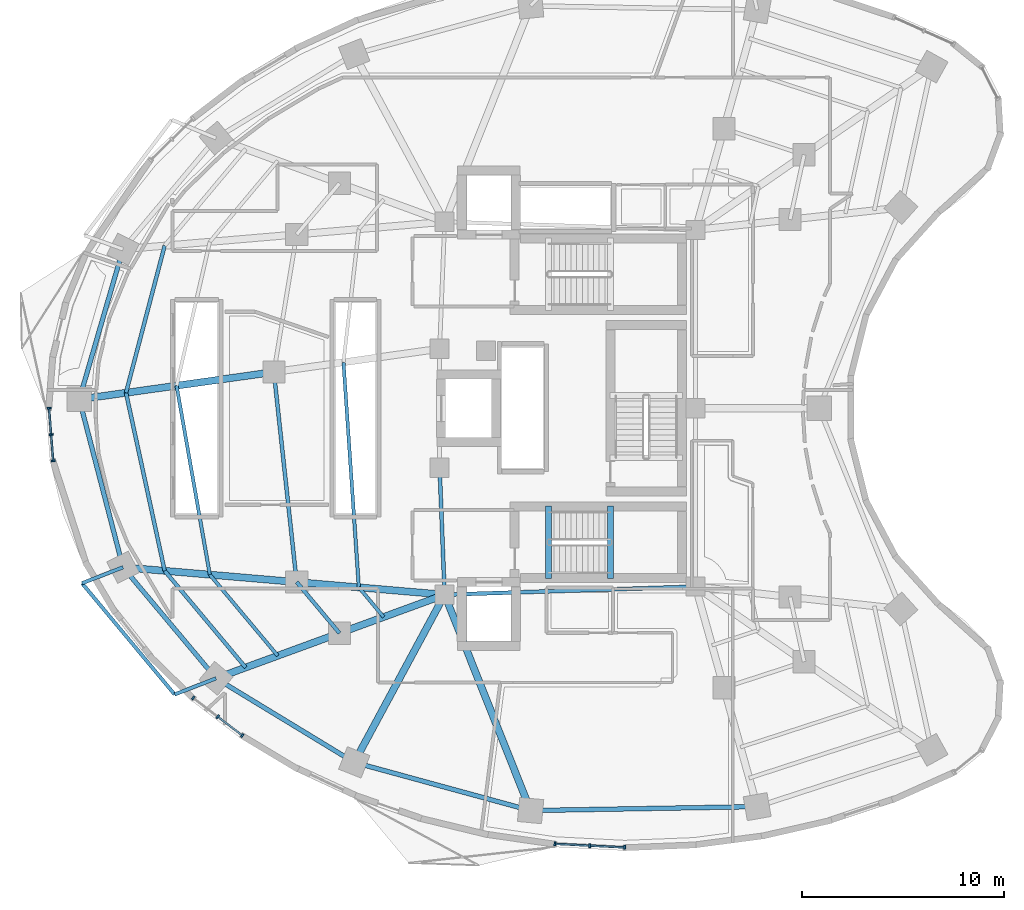
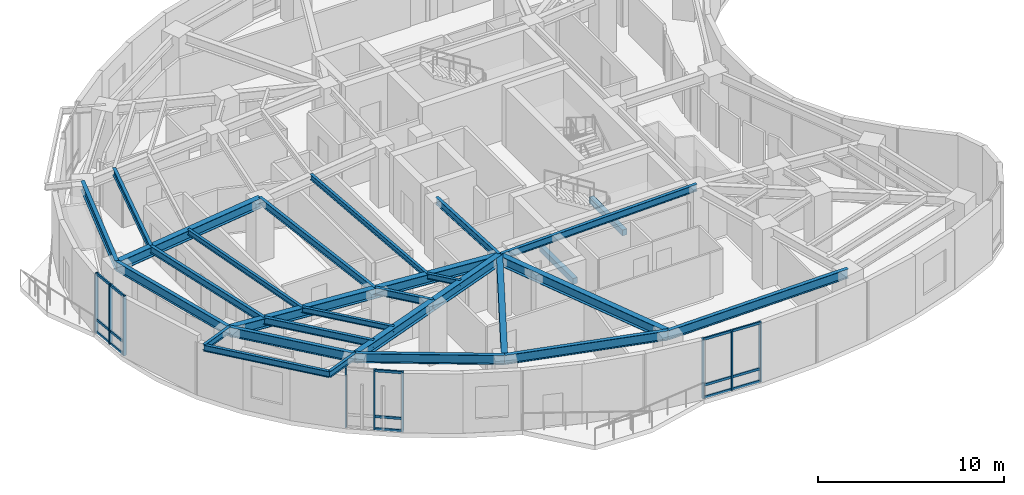
# One storey, part 2 of 15: 29 beams, 24 members, 3 elements without a shape of their own.
"""IFC4 building model written with IfcOpenShell, lengths in metres."""

import ifcopenshell
import ifcopenshell.guid

model = None  # the IFC model being written
_history = None  # IfcOwnerHistory: only IFC2X3 demands one
_inside = {}  # id of a spatial element -> (the spatial element, [elements in it])
_under = {}  # id of a project, library or spatial element -> (it, [spatial elements below it])
_declared = {}  # id of a project -> (the project, [libraries it declares])
_typed = {}  # id of a type object -> (the type object, [elements of that type])
_made_of = {}  # id of a material, layer set ... -> (it, [elements and type objects made of it])


def new_model(schema):
    """Start an empty IFC model of exactly this schema.

    Asked for "IFC4X3", IfcOpenShell would pick the latest addendum, in which some entities
    have other attributes; the version numbers below select the first issue.
    IFC2X3 requires an IfcOwnerHistory on every rooted entity: one is made here for all.
    """
    global model, _history
    if schema == "IFC4X3":
        model = ifcopenshell.file(schema_version=(4, 3, 0, 0))
    else:
        model = ifcopenshell.file(schema=schema)
    _inside.clear()
    _under.clear()
    _declared.clear()
    _typed.clear()
    _made_of.clear()
    _history = None
    if model.schema == "IFC2X3":
        org = make("IfcOrganization", Name="unknown")
        user = make(
            "IfcPersonAndOrganization",
            ThePerson=make("IfcPerson", FamilyName="unknown"),
            TheOrganization=org,
        )
        app = make(
            "IfcApplication",
            ApplicationDeveloper=org,
            Version="unknown",
            ApplicationFullName="unknown",
            ApplicationIdentifier="unknown",
        )
        _history = make(
            "IfcOwnerHistory",
            OwningUser=user,
            OwningApplication=app,
            ChangeAction="ADDED",
            CreationDate=0,
        )
    return model


def make(cls, **values):
    """One entity of the class cls with the attributes given. An attribute that is None is left unset."""
    return model.create_entity(
        cls, **{name: value for name, value in values.items() if value is not None}
    )


def rooted(cls, **values):
    """An entity with a GlobalId (a new one), such as an element, a storey or a relation."""
    return make(cls, GlobalId=ifcopenshell.guid.new(), OwnerHistory=_history, **values)


def si_unit(unit_type, name, prefix=None):
    """IfcSIUnit, for example si_unit("LENGTHUNIT", "METRE", prefix="MILLI")."""
    return make("IfcSIUnit", UnitType=unit_type, Prefix=prefix, Name=name)


def assignment(units):
    """IfcUnitAssignment: the units of a project."""
    return None if units is None else make("IfcUnitAssignment", Units=units)


def point(xyz):
    """IfcCartesianPoint."""
    return None if xyz is None else make("IfcCartesianPoint", Coordinates=xyz)


def direction(xyz):
    """IfcDirection."""
    return None if xyz is None else make("IfcDirection", DirectionRatios=xyz)


def frame(location, z_axis=None, x_axis=None):
    """IfcAxis2Placement3D, a coordinate frame: its origin and axes. An axis left out is left unset."""
    return make(
        "IfcAxis2Placement3D",
        Location=point(location),
        Axis=direction(z_axis),
        RefDirection=direction(x_axis),
    )


def frame_2d(location, x_axis=None):
    """IfcAxis2Placement2D, a coordinate frame in the plane: its origin and x axis."""
    return make(
        "IfcAxis2Placement2D", Location=point(location), RefDirection=direction(x_axis)
    )


def origin():
    """The frame at (0, 0, 0) with its axes left unset."""
    return frame((0.0, 0.0, 0.0))


def origin_2d():
    """The frame at (0, 0) in the plane with its x axis left unset."""
    return frame_2d((0.0, 0.0))


def place(relative_to, where):
    """IfcLocalPlacement: puts the frame where relative to a parent placement (None: the world)."""
    return make(
        "IfcLocalPlacement", PlacementRelTo=relative_to, RelativePlacement=where
    )


def context(
    kind, dimensions, precision=None, world=None, true_north=None, identifier=None
):
    """IfcGeometricRepresentationContext, for example the 3D "Model" context."""
    return make(
        "IfcGeometricRepresentationContext",
        ContextIdentifier=identifier,
        ContextType=kind,
        CoordinateSpaceDimension=dimensions,
        Precision=precision,
        WorldCoordinateSystem=world,
        TrueNorth=true_north,
    )


def subcontext(parent, identifier, kind, view, scale=None):
    """IfcGeometricRepresentationSubContext, for example "Body" below "Model"."""
    return make(
        "IfcGeometricRepresentationSubContext",
        ContextIdentifier=identifier,
        ContextType=kind,
        ParentContext=parent,
        TargetScale=scale,
        TargetView=view,
    )


def project(units=None, contexts=None):
    """IfcProject with its units and contexts."""
    return rooted(
        "IfcProject",
        Name="project",
        RepresentationContexts=contexts,
        UnitsInContext=assignment(units),
    )


def spatial(cls, under=None, at=None, **own):
    """A site, building, storey or space (cls), placed at a placement, below another one or the project."""
    s = rooted(cls, ObjectPlacement=at, **own)
    if under is not None:
        _under.setdefault(under.id(), (under, []))[1].append(s)
    return s


def profile(cls, at=None, kind="AREA", **sizes):
    """A parametric profile (cls). Its sizes go by their IFC names, for example OverallWidth=200.0."""
    return make(cls, ProfileType=kind, Position=at, **sizes)


def rectangle(**sizes):
    """IfcRectangleProfileDef."""
    return profile("IfcRectangleProfileDef", **sizes)


def i_section(**sizes):
    """IfcIShapeProfileDef."""
    return profile("IfcIShapeProfileDef", **sizes)


def extrude(swept, where, along, depth):
    """IfcExtrudedAreaSolid: the profile swept, set in the frame where, extruded along a direction by depth."""
    return make(
        "IfcExtrudedAreaSolid",
        SweptArea=swept,
        Position=where,
        ExtrudedDirection=direction(along),
        Depth=depth,
    )


def shape(context_of_items, identifier, shape_type, items):
    """IfcShapeRepresentation: the items that make up one representation, for example the "Body"."""
    return make(
        "IfcShapeRepresentation",
        ContextOfItems=context_of_items,
        RepresentationIdentifier=identifier,
        RepresentationType=shape_type,
        Items=items,
    )


def material(Name=None, Category=None):
    """IfcMaterial."""
    return make("IfcMaterial", Name=Name, Category=Category)


def layer(
    of_material, thickness, ventilated=None, Name=None, Category=None, Priority=None
):
    """IfcMaterialLayer: one layer of a wall or slab, of a material (None: an air gap)."""
    return make(
        "IfcMaterialLayer",
        Material=of_material,
        LayerThickness=thickness,
        IsVentilated=ventilated,
        Name=Name,
        Category=Category,
        Priority=Priority,
    )


def layer_set(layers, Name=None):
    """IfcMaterialLayerSet."""
    return make("IfcMaterialLayerSet", MaterialLayers=layers, LayerSetName=Name)


def material_profile(
    of_material, cross_section, Name=None, Category=None, Priority=None
):
    """IfcMaterialProfile: a cross section and its material."""
    return make(
        "IfcMaterialProfile",
        Name=Name,
        Material=of_material,
        Profile=cross_section,
        Priority=Priority,
        Category=Category,
    )


def profile_set(profiles, Name=None, composite=None):
    """IfcMaterialProfileSet."""
    return make(
        "IfcMaterialProfileSet",
        Name=Name,
        MaterialProfiles=profiles,
        CompositeProfile=composite,
    )


def made_of(thing, what):
    """Note that an element or type object is made of a material, layer set ...; save() writes the relation."""
    if what is not None:
        _made_of.setdefault(what.id(), (what, []))[1].append(thing)
    return thing


def type_object(cls, material=None, **own):
    """A type object (cls), such as IfcWallType, which elements share."""
    return made_of(rooted(cls, **own), material)


def element(
    cls,
    number,
    at=None,
    inside=None,
    cuts=None,
    type_object=None,
    material=None,
    context=None,
    identifier="Body",
    shape_type=None,
    held_by="IfcProductDefinitionShape",
    body=None,
    shapes=None,
    **own,
):
    """One element of the class cls, such as IfcWall. Its Tag is "e" and its number.

    at: its placement. inside: the storey or other place that contains it. cuts: it is an
    opening in that element (IfcRelVoidsElement). A single representation is given by context,
    identifier, shape_type and body (its items); several are given by shapes. held_by: the class
    of the entity that holds the representations. save() writes the other relations.
    """
    e = rooted(cls, Tag="e%d" % number, ObjectPlacement=at, **own)
    if body is not None:
        shapes = [shape(context, identifier, shape_type, body)]
    if shapes is not None:
        e.Representation = make(held_by, Representations=shapes)
    if inside is not None:
        _inside.setdefault(inside.id(), (inside, []))[1].append(e)
    if cuts is not None:
        rooted(
            "IfcRelVoidsElement", RelatingBuildingElement=cuts, RelatedOpeningElement=e
        )
    if type_object is not None:
        _typed.setdefault(type_object.id(), (type_object, []))[1].append(e)
    return made_of(e, material)


def aggregate(whole, parts):
    """IfcRelAggregates: a whole, such as a stair, and the parts it consists of."""
    return rooted("IfcRelAggregates", RelatingObject=whole, RelatedObjects=parts)


def save(model, path):
    """Write the relations noted so far, then the file.

    IfcRelAggregates (storeys below a building ...), IfcRelContainedInSpatialStructure (elements
    in a storey), IfcRelDefinesByType, IfcRelAssociatesMaterial and IfcRelDeclares: one each for
    every whole, place, type object, material and project.
    """
    for whole, parts in _under.values():
        aggregate(whole, parts)
    for where, things in _inside.values():
        rooted(
            "IfcRelContainedInSpatialStructure",
            RelatedElements=things,
            RelatingStructure=where,
        )
    for kind, things in _typed.values():
        rooted("IfcRelDefinesByType", RelatedObjects=things, RelatingType=kind)
    for what, things in _made_of.values():
        rooted("IfcRelAssociatesMaterial", RelatedObjects=things, RelatingMaterial=what)
    for by, libraries in _declared.values():
        rooted("IfcRelDeclares", RelatingContext=by, RelatedDefinitions=libraries)
    model.write(path)


model = new_model("IFC4")

# Units and contexts
model_context = context("Model", 3, precision=1e-05, world=origin(), true_north=direction((0.0, 1.0)))
body_context = subcontext(model_context, "Body", "Model", "MODEL_VIEW")
ifc_project = project(units=[si_unit("LENGTHUNIT", "METRE"), si_unit("AREAUNIT", "SQUARE_METRE"), si_unit("VOLUMEUNIT", "CUBIC_METRE"), si_unit("PLANEANGLEUNIT", "RADIAN"), si_unit("MASSUNIT", "GRAM", prefix="KILO")], contexts=[model_context])

# Site, building, storey
site_placement = place(None, origin())
site = spatial("IfcSite", under=ifc_project, at=site_placement, CompositionType="ELEMENT")
building_placement = place(site_placement, origin())
building = spatial("IfcBuilding", under=site, at=building_placement, Name="Korentha Bioscience Tower", CompositionType="ELEMENT")
storey_placement = place(building_placement, frame((0.0, 0.0, 127.800048828125)))
storey = spatial("IfcBuildingStorey", under=building, at=storey_placement, Name="L29", CompositionType="ELEMENT", Elevation=127.800048828125)

# Beams
ifc_material_1 = material(Name="Concrete C50", Category="concrete")
ifc_material_profile_1 = material_profile(ifc_material_1, rectangle(XDim=0.280029296875, YDim=0.3798828125, at=origin_2d()), Name="Concrete C50")
ifc_profile_set_1 = profile_set([ifc_material_profile_1], Name="Concrete C50 (ST-HB380)")
beam_type_1 = type_object("IfcBeamType", Name="Concrete Stair Header Beam RC 280x380", PredefinedType="BEAM", material=ifc_profile_set_1)
for number, where, z_axis, x_axis, name in (
    (1, (30.25, 18.550048828125, -0.18994140625), (0.0, 1.0, 0.0), (-1.0, 0.0, 0.0), "L29 ST-2 Concrete Stair Header Beam"),
    (2, (33.330078125, 18.550048828125, 1.909912109375), (0.0, 1.0, 0.0), (-1.0, 0.0, 0.0), "L29 ST-2 Half-Landing Header Beam 1"),
):
    element("IfcBeam", number, at=place(storey_placement, frame(where, z_axis=z_axis, x_axis=x_axis)), inside=storey, type_object=beam_type_1, Name=name, PredefinedType="BEAM", context=body_context, shape_type="SweptSolid", body=[
        extrude(rectangle(XDim=0.280029296875, YDim=0.3798828125, at=origin_2d()), origin(), (0.0, 0.0, 1.0), 3.599853515625),
    ])
ifc_material_2 = material(Name="Steel S355", Category="steel")
ifc_material_profile_2 = material_profile(ifc_material_2, i_section(OverallWidth=0.18994140625, OverallDepth=0.45703125, WebThickness=0.009033203125, FlangeThickness=0.014404296875, at=origin_2d()), Name="Steel S355")
ifc_profile_set_2 = profile_set([ifc_material_profile_2], Name="Steel S355 (MB-460)")
beam_type_2 = type_object("IfcBeamType", Name="Mid-Ring Tie Girder W460x74", PredefinedType="BEAM", material=ifc_profile_set_2)
beam_1_placement = place(storey_placement, frame((16.627197265625, 28.796630859375, 3.67138671875), z_axis=(0.108002632645, -0.994150607977, 0.0), x_axis=(0.994150607977, 0.108002632645, 0.0)))
element("IfcBeam", 3, at=beam_1_placement, inside=storey, type_object=beam_type_2, Name="L29 Mid-Ring Tie Girder 07", PredefinedType="BEAM", context=body_context, shape_type="SweptSolid", body=[
    extrude(i_section(OverallWidth=0.18994140625, OverallDepth=0.45703125, WebThickness=0.009033203125, FlangeThickness=0.014404296875, at=origin_2d()), origin(), (0.0, 0.0, 1.0), 10.48193359375),
])
beam_2_placement = place(storey_placement, frame((17.75927734375, 18.3759765625, 3.67138671875), z_axis=(0.642121371708, -0.766602989817, 0.0), x_axis=(0.766602989817, 0.642121371708, 0.0)))
element("IfcBeam", 4, at=beam_2_placement, inside=storey, type_object=beam_type_2, Name="L29 Mid-Ring Tie Girder 08", PredefinedType="BEAM", context=body_context, shape_type="SweptSolid", body=[
    extrude(i_section(OverallWidth=0.18994140625, OverallDepth=0.45703125, WebThickness=0.009033203125, FlangeThickness=0.014404296875, at=origin_2d()), origin(), (0.0, 0.0, 1.0), 3.306640625),
])
beam_3_placement = place(storey_placement, frame((24.85009765625, 24.050048828125, 3.67138671875), z_axis=(0.039651025576, -0.999213588864, 0.0), x_axis=(0.999213588864, 0.039651025576, 0.0)))
element("IfcBeam", 5, at=beam_3_placement, inside=storey, type_object=beam_type_2, Name="L29 Core Ring Tie Girder 04", PredefinedType="BEAM", context=body_context, shape_type="SweptSolid", body=[
    extrude(i_section(OverallWidth=0.18994140625, OverallDepth=0.45703125, WebThickness=0.009033203125, FlangeThickness=0.014404296875, at=origin_2d()), origin(), (0.0, 0.0, 1.0), 6.304931640625),
])
beam_4_placement = place(storey_placement, frame((25.10009765625, 17.75, 3.67138671875), z_axis=(0.999484526071, 0.032104238723, 0.0), x_axis=(-0.032104238723, 0.999484526071, 0.0)))
element("IfcBeam", 6, at=beam_4_placement, inside=storey, type_object=beam_type_2, Name="L29 Core Ring Tie Girder 05", PredefinedType="BEAM", context=body_context, shape_type="SweptSolid", body=[
    extrude(i_section(OverallWidth=0.18994140625, OverallDepth=0.45703125, WebThickness=0.009033203125, FlangeThickness=0.014404296875, at=origin_2d()), origin(), (0.0, 0.0, 1.0), 12.456298828125),
])

# Curtain wall, members
ifc_material_3 = material(Name="Thermally Broken Aluminium Frame", Category="aluminium")
ifc_layer = layer(ifc_material_3, 0.219970703125, Name="Thermally Broken Aluminium Frame")
ifc_layer_set = layer_set([ifc_layer], Name="Thermally Broken Aluminium Frame (CW-T1)")
curtain_wall_type = type_object("IfcCurtainWallType", Name="Standard Bioscience Lab Unitised Curtain Wall CW-T1", PredefinedType="USERDEFINED", material=ifc_layer_set)
curtain_wall_1_placement = place(storey_placement, origin())
curtain_wall_1 = element("IfcCurtainWall", 7, at=curtain_wall_1_placement, inside=storey, type_object=curtain_wall_type, Name="L29 Curtain Wall 19", ObjectType="UNITISED", PredefinedType="USERDEFINED")
ifc_material_4 = material(Name="Anodised Aluminium 6063-T6", Category="aluminium")
ifc_material_profile_3 = material_profile(ifc_material_4, rectangle(XDim=0.090087890625, YDim=0.199951171875, at=origin_2d()), Name="Anodised Aluminium 6063-T6")
ifc_profile_set_3 = profile_set([ifc_material_profile_3], Name="Anodised Aluminium 6063-T6 (CW-MUL)")
member_type_1 = type_object("IfcMemberType", Name="Mullion RECT 90x200", PredefinedType="MULLION", material=ifc_profile_set_3)
member_1_placement = place(storey_placement, frame((5.473876953125, 27.0078125, 0.0), z_axis=(0.0, 0.0, 1.0), x_axis=(0.079130214674, -0.996864288219, 0.0)))
member_1 = element("IfcMember", 8, at=member_1_placement, type_object=member_type_1, Name="CW-L29-19 Mullion 1", PredefinedType="MULLION", context=body_context, shape_type="SweptSolid", body=[
    extrude(rectangle(XDim=0.090087890625, YDim=0.199951171875, at=origin_2d()), origin(), (0.0, 0.0, 1.0), 3.89990234375),
])
member_2_placement = place(storey_placement, frame((5.577880859375, 25.6962890625, 0.0), z_axis=(0.0, 0.0, 1.0), x_axis=(0.079130214674, -0.996864288219, 0.0)))
member_2 = element("IfcMember", 9, at=member_2_placement, type_object=member_type_1, Name="CW-L29-19 Mullion 2", PredefinedType="MULLION", context=body_context, shape_type="SweptSolid", body=[
    extrude(rectangle(XDim=0.090087890625, YDim=0.199951171875, at=origin_2d()), origin(), (0.0, 0.0, 1.0), 3.89990234375),
])
member_3_placement = place(storey_placement, frame((5.681884765625, 24.38525390625, 0.0), z_axis=(0.0, 0.0, 1.0), x_axis=(0.079130214674, -0.996864288219, 0.0)))
member_3 = element("IfcMember", 10, at=member_3_placement, type_object=member_type_1, Name="CW-L29-19 Mullion 3", PredefinedType="MULLION", context=body_context, shape_type="SweptSolid", body=[
    extrude(rectangle(XDim=0.090087890625, YDim=0.199951171875, at=origin_2d()), origin(), (0.0, 0.0, 1.0), 3.89990234375),
])

curtain_wall_2_placement = place(storey_placement, origin())
curtain_wall_2 = element("IfcCurtainWall", 11, at=curtain_wall_2_placement, inside=storey, type_object=curtain_wall_type, Name="L29 Curtain Wall 25", ObjectType="UNITISED", PredefinedType="USERDEFINED")
member_4_placement = place(storey_placement, frame((12.624267578125, 12.62890625, 0.0), z_axis=(0.0, 0.0, 1.0), x_axis=(0.794499603893, -0.607264669986, 0.0)))
member_4 = element("IfcMember", 12, at=member_4_placement, type_object=member_type_1, Name="CW-L29-25 Mullion 1", PredefinedType="MULLION", context=body_context, shape_type="SweptSolid", body=[
    extrude(rectangle(XDim=0.090087890625, YDim=0.199951171875, at=origin_2d()), origin(), (0.0, 0.0, 1.0), 3.89990234375),
])
member_5_placement = place(storey_placement, frame((13.844970703125, 11.69580078125, 0.0), z_axis=(0.0, 0.0, 1.0), x_axis=(0.794499603893, -0.607264669986, 0.0)))
member_5 = element("IfcMember", 13, at=member_5_placement, type_object=member_type_1, Name="CW-L29-25 Mullion 2", PredefinedType="MULLION", context=body_context, shape_type="SweptSolid", body=[
    extrude(rectangle(XDim=0.090087890625, YDim=0.199951171875, at=origin_2d()), origin(), (0.0, 0.0, 1.0), 3.89990234375),
])
member_6_placement = place(storey_placement, frame((15.0654296875, 10.7626953125, 0.0), z_axis=(0.0, 0.0, 1.0), x_axis=(0.794499603893, -0.607264669986, 0.0)))
member_6 = element("IfcMember", 14, at=member_6_placement, type_object=member_type_1, Name="CW-L29-25 Mullion 3", PredefinedType="MULLION", context=body_context, shape_type="SweptSolid", body=[
    extrude(rectangle(XDim=0.090087890625, YDim=0.199951171875, at=origin_2d()), origin(), (0.0, 0.0, 1.0), 3.89990234375),
])

curtain_wall_3_placement = place(storey_placement, origin())
curtain_wall_3 = element("IfcCurtainWall", 15, at=curtain_wall_3_placement, inside=storey, type_object=curtain_wall_type, Name="L29 Curtain Wall 31", ObjectType="UNITISED", PredefinedType="USERDEFINED")
member_7_placement = place(storey_placement, frame((30.571533203125, 5.39111328125, 0.0), z_axis=(0.0, 0.0, 1.0), x_axis=(0.998673231344, -0.051495407527, 0.0)))
member_7 = element("IfcMember", 16, at=member_7_placement, type_object=member_type_1, Name="CW-L29-31 Mullion 1", PredefinedType="MULLION", context=body_context, shape_type="SweptSolid", body=[
    extrude(rectangle(XDim=0.090087890625, YDim=0.199951171875, at=origin_2d()), origin(), (0.0, 0.0, 1.0), 3.89990234375),
])
member_8_placement = place(storey_placement, frame((32.301025390625, 5.302001953125, 0.0), z_axis=(0.0, 0.0, 1.0), x_axis=(0.998673231344, -0.051495407527, 0.0)))
member_8 = element("IfcMember", 17, at=member_8_placement, type_object=member_type_1, Name="CW-L29-31 Mullion 2", PredefinedType="MULLION", context=body_context, shape_type="SweptSolid", body=[
    extrude(rectangle(XDim=0.090087890625, YDim=0.199951171875, at=origin_2d()), origin(), (0.0, 0.0, 1.0), 3.89990234375),
])
member_9_placement = place(storey_placement, frame((34.03076171875, 5.212646484375, 0.0), z_axis=(0.0, 0.0, 1.0), x_axis=(0.998673231344, -0.051495407527, 0.0)))
member_9 = element("IfcMember", 18, at=member_9_placement, type_object=member_type_1, Name="CW-L29-31 Mullion 3", PredefinedType="MULLION", context=body_context, shape_type="SweptSolid", body=[
    extrude(rectangle(XDim=0.090087890625, YDim=0.199951171875, at=origin_2d()), origin(), (0.0, 0.0, 1.0), 3.89990234375),
])

# Beams
ifc_material_profile_4 = material_profile(ifc_material_2, i_section(OverallWidth=0.22802734375, OverallDepth=0.60791015625, WebThickness=0.01123046875, FlangeThickness=0.017333984375, at=origin_2d()), Name="Steel S355")
ifc_profile_set_4 = profile_set([ifc_material_profile_4], Name="Steel S355 (SB-610)")
beam_type_3 = type_object("IfcBeamType", Name="Perimeter Ring Spandrel Girder W610x113", PredefinedType="SPANDREL", material=ifc_profile_set_4)
beam_5_placement = place(storey_placement, frame((9.141845703125, 34.889404296875, 3.595947265625), z_axis=(-0.279486251653, -0.960149694129, 0.0), x_axis=(0.960149694129, -0.279486251653, 0.0)))
element("IfcBeam", 19, at=beam_5_placement, inside=storey, type_object=beam_type_3, Name="L29 Perimeter Spandrel Girder 06", PredefinedType="SPANDREL", context=body_context, shape_type="SweptSolid", body=[
    extrude(i_section(OverallWidth=0.22802734375, OverallDepth=0.60791015625, WebThickness=0.01123046875, FlangeThickness=0.017333984375, at=origin_2d()), origin(), (0.0, 0.0, 1.0), 7.756103515625),
])
beam_6_placement = place(storey_placement, frame((6.97412109375, 27.4423828125, 3.595947265625), z_axis=(0.251792692694, -0.96778119423, 0.0), x_axis=(0.96778119423, 0.251792692694, 0.0)))
element("IfcBeam", 20, at=beam_6_placement, inside=storey, type_object=beam_type_3, Name="L29 Perimeter Spandrel Girder 07", PredefinedType="SPANDREL", context=body_context, shape_type="SweptSolid", body=[
    extrude(i_section(OverallWidth=0.22802734375, OverallDepth=0.60791015625, WebThickness=0.01123046875, FlangeThickness=0.017333984375, at=origin_2d()), origin(), (0.0, 0.0, 1.0), 8.609130859375),
])
beam_7_placement = place(storey_placement, frame((9.141845703125, 19.110595703125, 3.595947265625), z_axis=(0.642126556076, -0.76659864726, 0.0), x_axis=(0.76659864726, 0.642126556076, 0.0)))
element("IfcBeam", 21, at=beam_7_placement, inside=storey, type_object=beam_type_3, Name="L29 Perimeter Spandrel Girder 08", PredefinedType="SPANDREL", context=body_context, shape_type="SweptSolid", body=[
    extrude(i_section(OverallWidth=0.22802734375, OverallDepth=0.60791015625, WebThickness=0.01123046875, FlangeThickness=0.017333984375, at=origin_2d()), origin(), (0.0, 0.0, 1.0), 7.1884765625),
])
beam_8_placement = place(storey_placement, frame((13.7578125, 13.599853515625, 3.595947265625), z_axis=(0.854461040474, -0.51951547649, 0.0), x_axis=(0.51951547649, 0.854461040474, 0.0)))
element("IfcBeam", 22, at=beam_8_placement, inside=storey, type_object=beam_type_3, Name="L29 Perimeter Spandrel Girder 09", PredefinedType="SPANDREL", context=body_context, shape_type="SweptSolid", body=[
    extrude(i_section(OverallWidth=0.22802734375, OverallDepth=0.60791015625, WebThickness=0.01123046875, FlangeThickness=0.017333984375, at=origin_2d()), origin(), (0.0, 0.0, 1.0), 8.025146484375),
])
beam_9_placement = place(storey_placement, frame((20.614990234375, 9.4306640625, 3.595947265625), z_axis=(0.964659386444, -0.263500034431, 0.0), x_axis=(0.263500034431, 0.964659386444, 0.0)))
element("IfcBeam", 23, at=beam_9_placement, inside=storey, type_object=beam_type_3, Name="L29 Perimeter Spandrel Girder 10", PredefinedType="SPANDREL", context=body_context, shape_type="SweptSolid", body=[
    extrude(i_section(OverallWidth=0.22802734375, OverallDepth=0.60791015625, WebThickness=0.01123046875, FlangeThickness=0.017333984375, at=origin_2d()), origin(), (0.0, 0.0, 1.0), 9.06982421875),
])
beam_10_placement = place(storey_placement, frame((29.3642578125, 7.040771484375, 3.595947265625), z_axis=(0.999850566826, 0.017287105523, 0.0), x_axis=(-0.017287105523, 0.999850566826, 0.0)))
element("IfcBeam", 24, at=beam_10_placement, inside=storey, type_object=beam_type_3, Name="L29 Perimeter Spandrel Girder 11", PredefinedType="SPANDREL", context=body_context, shape_type="SweptSolid", body=[
    extrude(i_section(OverallWidth=0.22802734375, OverallDepth=0.60791015625, WebThickness=0.01123046875, FlangeThickness=0.017333984375, at=origin_2d()), origin(), (0.0, 0.0, 1.0), 11.24169921875),
])
ifc_material_profile_5 = material_profile(ifc_material_2, i_section(OverallWidth=0.18994140625, OverallDepth=0.45703125, WebThickness=0.009033203125, FlangeThickness=0.014404296875, at=origin_2d()), Name="Steel S355")
ifc_profile_set_5 = profile_set([ifc_material_profile_5], Name="Steel S355 (RB-460)")
beam_type_4 = type_object("IfcBeamType", Name="Radial Laboratory Beam W460x74", PredefinedType="BEAM", material=ifc_profile_set_5)
beam_11_placement = place(storey_placement, frame((11.2099609375, 35.065673828125, 3.67138671875), z_axis=(-0.254294231014, -0.967126901742, 0.0), x_axis=(0.967126901742, -0.254294231014, 0.0)))
element("IfcBeam", 25, at=beam_11_placement, inside=storey, type_object=beam_type_4, Name="L29 Secondary Floor Beam JSTO-06", PredefinedType="BEAM", context=body_context, shape_type="SweptSolid", body=[
    extrude(i_section(OverallWidth=0.18994140625, OverallDepth=0.45703125, WebThickness=0.009033203125, FlangeThickness=0.014404296875, at=origin_2d()), origin(), (0.0, 0.0, 1.0), 7.546142578125),
])
beam_12_placement = place(storey_placement, frame((9.291015625, 27.767578125, 3.67138671875), z_axis=(0.212289478944, -0.977206824132, 0.0), x_axis=(0.977206824132, 0.212289478944, 0.0)))
element("IfcBeam", 26, at=beam_12_placement, inside=storey, type_object=beam_type_4, Name="L29 Secondary Floor Beam JSTO-07", PredefinedType="BEAM", context=body_context, shape_type="SweptSolid", body=[
    extrude(i_section(OverallWidth=0.18994140625, OverallDepth=0.45703125, WebThickness=0.009033203125, FlangeThickness=0.014404296875, at=origin_2d()), origin(), (0.0, 0.0, 1.0), 9.039306640625),
])
beam_13_placement = place(storey_placement, frame((11.2099609375, 18.934326171875, 3.67138671875), z_axis=(0.642128156066, -0.766597307057, 0.0), x_axis=(0.766597307057, 0.642128156066, 0.0)))
element("IfcBeam", 27, at=beam_13_placement, inside=storey, type_object=beam_type_4, Name="L29 Secondary Floor Beam JSTO-08", PredefinedType="BEAM", context=body_context, shape_type="SweptSolid", body=[
    extrude(i_section(OverallWidth=0.18994140625, OverallDepth=0.45703125, WebThickness=0.009033203125, FlangeThickness=0.014404296875, at=origin_2d()), origin(), (0.0, 0.0, 1.0), 6.257080078125),
])
ifc_material_profile_6 = material_profile(ifc_material_2, i_section(OverallWidth=0.35009765625, OverallDepth=0.64990234375, WebThickness=0.01611328125, FlangeThickness=0.02490234375, at=origin_2d()), Name="Steel S355")
ifc_profile_set_6 = profile_set([ifc_material_profile_6], Name="Steel S355 (RB-650)")
beam_type_5 = type_object("IfcBeamType", Name="Radial Laboratory Girder CVS 650x208", PredefinedType="BEAM", material=ifc_profile_set_6)
beam_14_placement = place(storey_placement, frame((16.627197265625, 28.796630859375, 3.574951171875), z_axis=(-0.99030201931, -0.138931315944, 0.0), x_axis=(0.138931315944, -0.99030201931, 0.0)))
element("IfcBeam", 28, at=beam_14_placement, inside=storey, type_object=beam_type_5, Name="L29 Outer Radial Girder 07", PredefinedType="BEAM", context=body_context, shape_type="SweptSolid", body=[
    extrude(i_section(OverallWidth=0.35009765625, OverallDepth=0.64990234375, WebThickness=0.01611328125, FlangeThickness=0.02490234375, at=origin_2d()), origin(), (0.0, 0.0, 1.0), 9.74755859375),
])
beam_15_placement = place(storey_placement, frame((25.10009765625, 17.75, 3.574951171875), z_axis=(-0.996383934197, 0.084965026183, 0.0), x_axis=(-0.084965026183, -0.996383934197, 0.0)))
element("IfcBeam", 29, at=beam_15_placement, inside=storey, type_object=beam_type_5, Name="L29 Inner Radial Girder 08", PredefinedType="BEAM", context=body_context, shape_type="SweptSolid", body=[
    extrude(i_section(OverallWidth=0.35009765625, OverallDepth=0.64990234375, WebThickness=0.01611328125, FlangeThickness=0.02490234375, at=origin_2d()), origin(), (0.0, 0.0, 1.0), 7.367431640625),
])
beam_16_placement = place(storey_placement, frame((17.75927734375, 18.3759765625, 3.574951171875), z_axis=(-0.996386071548, 0.084939957767, 0.0), x_axis=(-0.084939957767, -0.996386071548, 0.0)))
element("IfcBeam", 30, at=beam_16_placement, inside=storey, type_object=beam_type_5, Name="L29 Outer Radial Girder 08", PredefinedType="BEAM", context=body_context, shape_type="SweptSolid", body=[
    extrude(i_section(OverallWidth=0.35009765625, OverallDepth=0.64990234375, WebThickness=0.01611328125, FlangeThickness=0.02490234375, at=origin_2d()), origin(), (0.0, 0.0, 1.0), 8.648681640625),
])
beam_17_placement = place(storey_placement, frame((25.10009765625, 17.75, 3.574951171875), z_axis=(-0.939118010396, -0.343594765022, 0.0), x_axis=(0.343594765022, -0.939118010396, 0.0)))
element("IfcBeam", 31, at=beam_17_placement, inside=storey, type_object=beam_type_5, Name="L29 Inner Radial Girder 09", PredefinedType="BEAM", context=body_context, shape_type="SweptSolid", body=[
    extrude(i_section(OverallWidth=0.35009765625, OverallDepth=0.64990234375, WebThickness=0.01611328125, FlangeThickness=0.02490234375, at=origin_2d()), origin(), (0.0, 0.0, 1.0), 5.5556640625),
])
beam_18_placement = place(storey_placement, frame((19.882568359375, 15.841064453125, 3.574951171875), z_axis=(-0.939100755225, -0.343641923425, 0.0), x_axis=(0.343641923425, -0.939100755225, 0.0)))
element("IfcBeam", 32, at=beam_18_placement, inside=storey, type_object=beam_type_5, Name="L29 Outer Radial Girder 09", PredefinedType="BEAM", context=body_context, shape_type="SweptSolid", body=[
    extrude(i_section(OverallWidth=0.35009765625, OverallDepth=0.64990234375, WebThickness=0.01611328125, FlangeThickness=0.02490234375, at=origin_2d()), origin(), (0.0, 0.0, 1.0), 6.52197265625),
])
beam_19_placement = place(storey_placement, frame((25.10009765625, 17.75, 3.574951171875), z_axis=(-0.474548018732, -0.880229616587, 0.0), x_axis=(0.880229616587, -0.474548018732, 0.0)))
element("IfcBeam", 33, at=beam_19_placement, inside=storey, type_object=beam_type_5, Name="L29 Radial Girder 10", PredefinedType="BEAM", context=body_context, shape_type="SweptSolid", body=[
    extrude(i_section(OverallWidth=0.35009765625, OverallDepth=0.64990234375, WebThickness=0.01611328125, FlangeThickness=0.02490234375, at=origin_2d()), origin(), (0.0, 0.0, 1.0), 9.451416015625),
])
beam_20_placement = place(storey_placement, frame((25.10009765625, 17.75, 3.574951171875), z_axis=(0.369929528493, -0.929059817207, 0.0), x_axis=(0.929059817207, 0.369929528493, 0.0)))
element("IfcBeam", 34, at=beam_20_placement, inside=storey, type_object=beam_type_5, Name="L29 Radial Girder 11", PredefinedType="BEAM", context=body_context, shape_type="SweptSolid", body=[
    extrude(i_section(OverallWidth=0.35009765625, OverallDepth=0.64990234375, WebThickness=0.01611328125, FlangeThickness=0.02490234375, at=origin_2d()), origin(), (0.0, 0.0, 1.0), 11.52685546875),
])
ifc_material_profile_7 = material_profile(ifc_material_2, i_section(OverallWidth=0.1708984375, OverallDepth=0.35498046875, WebThickness=0.007080078125, FlangeThickness=0.01171875, at=origin_2d()), Name="Steel S355")
ifc_profile_set_7 = profile_set([ifc_material_profile_7], Name="Steel S355 (JB-360)")
beam_type_6 = type_object("IfcBeamType", Name="Secondary Laboratory Joist W360x51", PredefinedType="JOIST", material=ifc_profile_set_7)
beam_21_placement = place(storey_placement, frame((11.800537109375, 28.11962890625, 3.722412109375), z_axis=(0.173304009699, -0.984868377105, 0.0), x_axis=(0.984868377105, 0.173304009699, 0.0)))
element("IfcBeam", 35, at=beam_21_placement, inside=storey, type_object=beam_type_6, Name="L29 Secondary Floor Beam JST-07", PredefinedType="JOIST", context=body_context, shape_type="SweptSolid", body=[
    extrude(i_section(OverallWidth=0.1708984375, OverallDepth=0.35498046875, WebThickness=0.007080078125, FlangeThickness=0.01171875, at=origin_2d()), origin(), (0.0, 0.0, 1.0), 9.520263671875),
])
beam_22_placement = place(storey_placement, frame((20.080810546875, 29.281005859375, 3.722412109375), z_axis=(0.068025861704, -0.997683558118, 0.0), x_axis=(0.997683558118, 0.068025861704, 0.0)))
element("IfcBeam", 36, at=beam_22_placement, inside=storey, type_object=beam_type_6, Name="L29 Inner Bay Joist 07", PredefinedType="JOIST", context=body_context, shape_type="SweptSolid", body=[
    extrude(i_section(OverallWidth=0.1708984375, OverallDepth=0.35498046875, WebThickness=0.007080078125, FlangeThickness=0.01171875, at=origin_2d()), origin(), (0.0, 0.0, 1.0), 11.19384765625),
])
beam_23_placement = place(storey_placement, frame((13.450439453125, 18.743408203125, 3.722412109375), z_axis=(0.642140812018, -0.76658670582, 0.0), x_axis=(0.76658670582, 0.642140812018, 0.0)))
element("IfcBeam", 37, at=beam_23_placement, inside=storey, type_object=beam_type_6, Name="L29 Secondary Floor Beam JST-08", PredefinedType="JOIST", context=body_context, shape_type="SweptSolid", body=[
    extrude(i_section(OverallWidth=0.1708984375, OverallDepth=0.35498046875, WebThickness=0.007080078125, FlangeThickness=0.01171875, at=origin_2d()), origin(), (0.0, 0.0, 1.0), 5.247802734375),
])
beam_24_placement = place(storey_placement, frame((20.84228515625, 18.113037109375, 3.722412109375), z_axis=(0.64218549873, -0.766549271229, 0.0), x_axis=(0.766549271229, 0.64218549873, 0.0)))
element("IfcBeam", 38, at=beam_24_placement, inside=storey, type_object=beam_type_6, Name="L29 Inner Bay Joist 08", PredefinedType="JOIST", context=body_context, shape_type="SweptSolid", body=[
    extrude(i_section(OverallWidth=0.1708984375, OverallDepth=0.35498046875, WebThickness=0.007080078125, FlangeThickness=0.01171875, at=origin_2d()), origin(), (0.0, 0.0, 1.0), 1.91796875),
])
ifc_material_profile_8 = material_profile(ifc_material_2, i_section(OverallWidth=0.177978515625, OverallDepth=0.406982421875, WebThickness=0.0078125, FlangeThickness=0.0126953125, at=origin_2d()), Name="Steel S355")
ifc_profile_set_8 = profile_set([ifc_material_profile_8], Name="Steel S355 (CB-410)")
beam_type_7 = type_object("IfcBeamType", Name="Sun-Ledge Cantilever Beam W410x60", PredefinedType="BEAM", material=ifc_profile_set_8)
beam_25_placement = place(storey_placement, frame((9.141845703125, 19.110595703125, 3.698486328125), z_axis=(-0.931676534019, -0.363288915272, 0.0), x_axis=(0.363288915272, -0.931676534019, 0.0)))
element("IfcBeam", 39, at=beam_25_placement, inside=storey, type_object=beam_type_7, Name="L29 Balcony Cantilever Bracket A-L30-03", PredefinedType="BEAM", context=body_context, shape_type="SweptSolid", body=[
    extrude(i_section(OverallWidth=0.177978515625, OverallDepth=0.406982421875, WebThickness=0.0078125, FlangeThickness=0.0126953125, at=origin_2d()), origin(), (0.0, 0.0, 1.0), 2.1806640625),
])
beam_26_placement = place(storey_placement, frame((13.7578125, 13.599853515625, 3.698486328125), z_axis=(-0.931734058868, -0.363141354771, 0.0), x_axis=(0.363141354771, -0.931734058868, 0.0)))
element("IfcBeam", 40, at=beam_26_placement, inside=storey, type_object=beam_type_7, Name="L29 Balcony Cantilever Bracket B-L30-03", PredefinedType="BEAM", context=body_context, shape_type="SweptSolid", body=[
    extrude(i_section(OverallWidth=0.177978515625, OverallDepth=0.406982421875, WebThickness=0.0078125, FlangeThickness=0.0126953125, at=origin_2d()), origin(), (0.0, 0.0, 1.0), 2.203125),
])
beam_27_placement = place(storey_placement, frame((7.110107421875, 18.318359375, 3.698486328125), z_axis=(0.639870007029, -0.76848316449, 0.0), x_axis=(0.76848316449, 0.639870007029, 0.0)))
element("IfcBeam", 41, at=beam_27_placement, inside=storey, type_object=beam_type_7, Name="L29 Balcony Edge Trimmer Beam L30-03", PredefinedType="BEAM", context=body_context, shape_type="SweptSolid", body=[
    extrude(i_section(OverallWidth=0.177978515625, OverallDepth=0.406982421875, WebThickness=0.0078125, FlangeThickness=0.0126953125, at=origin_2d()), origin(), (0.0, 0.0, 1.0), 7.18115234375),
])

# Member
ifc_material_profile_9 = material_profile(ifc_material_4, rectangle(XDim=0.090087890625, YDim=0.159912109375, at=origin_2d()), Name="Anodised Aluminium 6063-T6")
ifc_profile_set_9 = profile_set([ifc_material_profile_9], Name="Anodised Aluminium 6063-T6 (CW-TRN)")
member_type_2 = type_object("IfcMemberType", Name="Transom RECT 90x160", PredefinedType="USERDEFINED", material=ifc_profile_set_9)
member_10_placement = place(storey_placement, frame((5.477294921875, 26.962890625, 0.044921875), z_axis=(0.079285983344, -0.996851911191, 0.0), x_axis=(0.996851911191, 0.079285983344, 0.0)))
member_10 = element("IfcMember", 42, at=member_10_placement, type_object=member_type_2, Name="CW-L29-19 Bay 1 Transom 1", ObjectType="TRANSOM", PredefinedType="USERDEFINED", context=body_context, shape_type="SweptSolid", body=[
    extrude(rectangle(XDim=0.090087890625, YDim=0.159912109375, at=origin_2d()), origin(), (0.0, 0.0, 1.0), 1.2255859375),
])

member_11_placement = place(storey_placement, frame((5.477294921875, 26.962890625, 0.849853515625), z_axis=(0.079285983344, -0.996851911191, 0.0), x_axis=(0.996851911191, 0.079285983344, 0.0)))
member_11 = element("IfcMember", 43, at=member_11_placement, type_object=member_type_2, Name="CW-L29-19 Bay 1 Transom 2", ObjectType="TRANSOM", PredefinedType="USERDEFINED", context=body_context, shape_type="SweptSolid", body=[
    extrude(rectangle(XDim=0.090087890625, YDim=0.159912109375, at=origin_2d()), origin(), (0.0, 0.0, 1.0), 1.2255859375),
])

member_12_placement = place(storey_placement, frame((5.477294921875, 26.962890625, 3.85498046875), z_axis=(0.079285983344, -0.996851911191, 0.0), x_axis=(0.996851911191, 0.079285983344, 0.0)))
member_12 = element("IfcMember", 44, at=member_12_placement, type_object=member_type_2, Name="CW-L29-19 Bay 1 Transom 3", ObjectType="TRANSOM", PredefinedType="USERDEFINED", context=body_context, shape_type="SweptSolid", body=[
    extrude(rectangle(XDim=0.090087890625, YDim=0.159912109375, at=origin_2d()), origin(), (0.0, 0.0, 1.0), 1.2255859375),
])

member_13_placement = place(storey_placement, frame((5.58154296875, 25.651611328125, 0.044921875), z_axis=(0.079088019938, -0.996867636701, 0.0), x_axis=(0.996867636701, 0.079088019938, 0.0)))
member_13 = element("IfcMember", 45, at=member_13_placement, type_object=member_type_2, Name="CW-L29-19 Bay 2 Transom 1", ObjectType="TRANSOM", PredefinedType="USERDEFINED", context=body_context, shape_type="SweptSolid", body=[
    extrude(rectangle(XDim=0.090087890625, YDim=0.159912109375, at=origin_2d()), origin(), (0.0, 0.0, 1.0), 1.2255859375),
])

member_14_placement = place(storey_placement, frame((5.58154296875, 25.651611328125, 0.849853515625), z_axis=(0.079088019938, -0.996867636701, 0.0), x_axis=(0.996867636701, 0.079088019938, 0.0)))
member_14 = element("IfcMember", 46, at=member_14_placement, type_object=member_type_2, Name="CW-L29-19 Bay 2 Transom 2", ObjectType="TRANSOM", PredefinedType="USERDEFINED", context=body_context, shape_type="SweptSolid", body=[
    extrude(rectangle(XDim=0.090087890625, YDim=0.159912109375, at=origin_2d()), origin(), (0.0, 0.0, 1.0), 1.2255859375),
])

member_15_placement = place(storey_placement, frame((5.58154296875, 25.651611328125, 3.85498046875), z_axis=(0.079088019938, -0.996867636701, 0.0), x_axis=(0.996867636701, 0.079088019938, 0.0)))
member_15 = element("IfcMember", 47, at=member_15_placement, type_object=member_type_2, Name="CW-L29-19 Bay 2 Transom 3", ObjectType="TRANSOM", PredefinedType="USERDEFINED", context=body_context, shape_type="SweptSolid", body=[
    extrude(rectangle(XDim=0.090087890625, YDim=0.159912109375, at=origin_2d()), origin(), (0.0, 0.0, 1.0), 1.2255859375),
])

aggregate(curtain_wall_1, [member_1, member_2, member_3, member_10, member_11, member_12, member_13, member_14, member_15])

member_16_placement = place(storey_placement, frame((13.880615234375, 11.66845703125, 0.044921875), z_axis=(0.794477589546, -0.607293470828, 0.0), x_axis=(0.607293470828, 0.794477589546, 0.0)))
member_16 = element("IfcMember", 48, at=member_16_placement, type_object=member_type_2, Name="CW-L29-25 Bay 2 Transom 1", ObjectType="TRANSOM", PredefinedType="USERDEFINED", context=body_context, shape_type="SweptSolid", body=[
    extrude(rectangle(XDim=0.090087890625, YDim=0.159912109375, at=origin_2d()), origin(), (0.0, 0.0, 1.0), 1.446533203125),
])

member_17_placement = place(storey_placement, frame((13.880615234375, 11.66845703125, 0.849853515625), z_axis=(0.794477589546, -0.607293470828, 0.0), x_axis=(0.607293470828, 0.794477589546, 0.0)))
member_17 = element("IfcMember", 49, at=member_17_placement, type_object=member_type_2, Name="CW-L29-25 Bay 2 Transom 2", ObjectType="TRANSOM", PredefinedType="USERDEFINED", context=body_context, shape_type="SweptSolid", body=[
    extrude(rectangle(XDim=0.090087890625, YDim=0.159912109375, at=origin_2d()), origin(), (0.0, 0.0, 1.0), 1.446533203125),
])

member_18_placement = place(storey_placement, frame((13.880615234375, 11.66845703125, 3.85498046875), z_axis=(0.794477589546, -0.607293470828, 0.0), x_axis=(0.607293470828, 0.794477589546, 0.0)))
member_18 = element("IfcMember", 50, at=member_18_placement, type_object=member_type_2, Name="CW-L29-25 Bay 2 Transom 3", ObjectType="TRANSOM", PredefinedType="USERDEFINED", context=body_context, shape_type="SweptSolid", body=[
    extrude(rectangle(XDim=0.090087890625, YDim=0.159912109375, at=origin_2d()), origin(), (0.0, 0.0, 1.0), 1.446533203125),
])

aggregate(curtain_wall_2, [member_4, member_5, member_6, member_16, member_17, member_18])

member_19_placement = place(storey_placement, frame((30.616455078125, 5.388916015625, 0.044921875), z_axis=(0.998667892989, -0.05159883247, 0.0), x_axis=(0.05159883247, 0.998667892989, 0.0)))
member_19 = element("IfcMember", 51, at=member_19_placement, type_object=member_type_2, Name="CW-L29-31 Bay 1 Transom 1", ObjectType="TRANSOM", PredefinedType="USERDEFINED", context=body_context, shape_type="SweptSolid", body=[
    extrude(rectangle(XDim=0.090087890625, YDim=0.159912109375, at=origin_2d()), origin(), (0.0, 0.0, 1.0), 1.641845703125),
])

member_20_placement = place(storey_placement, frame((30.616455078125, 5.388916015625, 0.849853515625), z_axis=(0.998667892989, -0.05159883247, 0.0), x_axis=(0.05159883247, 0.998667892989, 0.0)))
member_20 = element("IfcMember", 52, at=member_20_placement, type_object=member_type_2, Name="CW-L29-31 Bay 1 Transom 2", ObjectType="TRANSOM", PredefinedType="USERDEFINED", context=body_context, shape_type="SweptSolid", body=[
    extrude(rectangle(XDim=0.090087890625, YDim=0.159912109375, at=origin_2d()), origin(), (0.0, 0.0, 1.0), 1.641845703125),
])

member_21_placement = place(storey_placement, frame((30.616455078125, 5.388916015625, 3.85498046875), z_axis=(0.998667892989, -0.05159883247, 0.0), x_axis=(0.05159883247, 0.998667892989, 0.0)))
member_21 = element("IfcMember", 53, at=member_21_placement, type_object=member_type_2, Name="CW-L29-31 Bay 1 Transom 3", ObjectType="TRANSOM", PredefinedType="USERDEFINED", context=body_context, shape_type="SweptSolid", body=[
    extrude(rectangle(XDim=0.090087890625, YDim=0.159912109375, at=origin_2d()), origin(), (0.0, 0.0, 1.0), 1.641845703125),
])

member_22_placement = place(storey_placement, frame((32.345947265625, 5.299560546875, 0.044921875), z_axis=(0.998675544552, -0.051450526863, 0.0), x_axis=(0.051450526863, 0.998675544552, 0.0)))
member_22 = element("IfcMember", 54, at=member_22_placement, type_object=member_type_2, Name="CW-L29-31 Bay 2 Transom 1", ObjectType="TRANSOM", PredefinedType="USERDEFINED", context=body_context, shape_type="SweptSolid", body=[
    extrude(rectangle(XDim=0.090087890625, YDim=0.159912109375, at=origin_2d()), origin(), (0.0, 0.0, 1.0), 1.641845703125),
])

member_23_placement = place(storey_placement, frame((32.345947265625, 5.299560546875, 0.849853515625), z_axis=(0.998675544552, -0.051450526863, 0.0), x_axis=(0.051450526863, 0.998675544552, 0.0)))
member_23 = element("IfcMember", 55, at=member_23_placement, type_object=member_type_2, Name="CW-L29-31 Bay 2 Transom 2", ObjectType="TRANSOM", PredefinedType="USERDEFINED", context=body_context, shape_type="SweptSolid", body=[
    extrude(rectangle(XDim=0.090087890625, YDim=0.159912109375, at=origin_2d()), origin(), (0.0, 0.0, 1.0), 1.641845703125),
])

member_24_placement = place(storey_placement, frame((32.345947265625, 5.299560546875, 3.85498046875), z_axis=(0.998675544552, -0.051450526863, 0.0), x_axis=(0.051450526863, 0.998675544552, 0.0)))
member_24 = element("IfcMember", 56, at=member_24_placement, type_object=member_type_2, Name="CW-L29-31 Bay 2 Transom 3", ObjectType="TRANSOM", PredefinedType="USERDEFINED", context=body_context, shape_type="SweptSolid", body=[
    extrude(rectangle(XDim=0.090087890625, YDim=0.159912109375, at=origin_2d()), origin(), (0.0, 0.0, 1.0), 1.641845703125),
])

aggregate(curtain_wall_3, [member_7, member_8, member_9, member_19, member_20, member_21, member_22, member_23, member_24])

save(model, "model.ifc")
